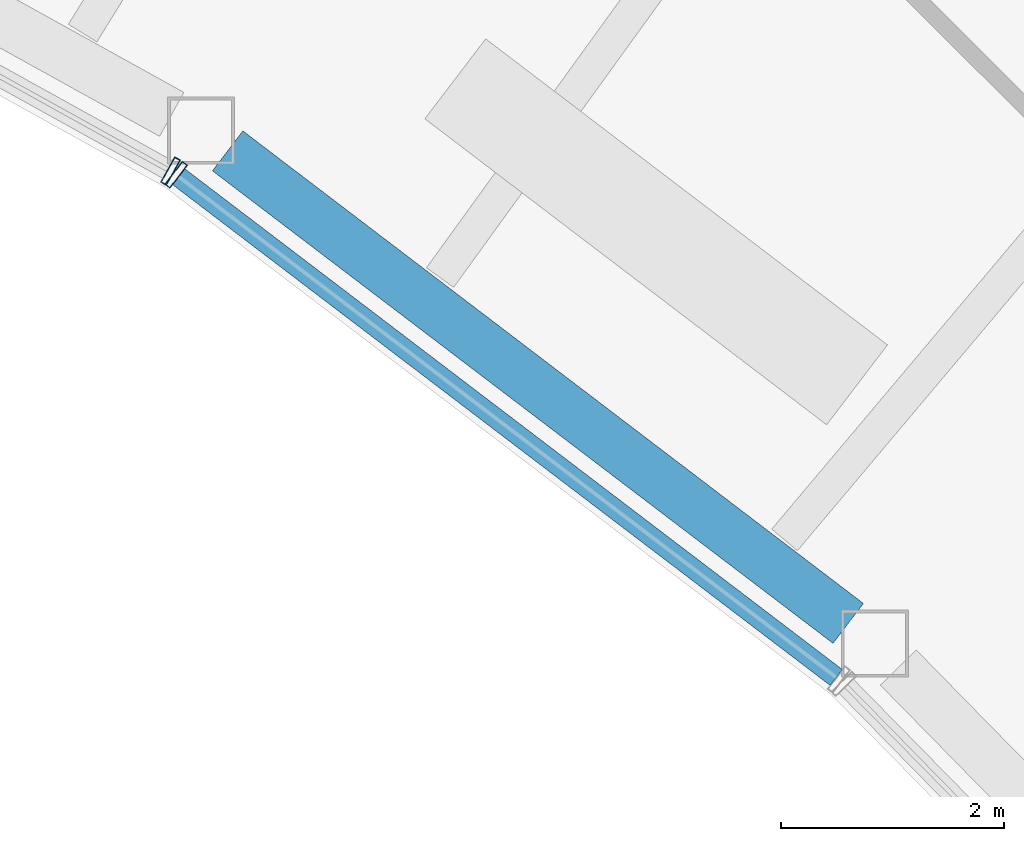
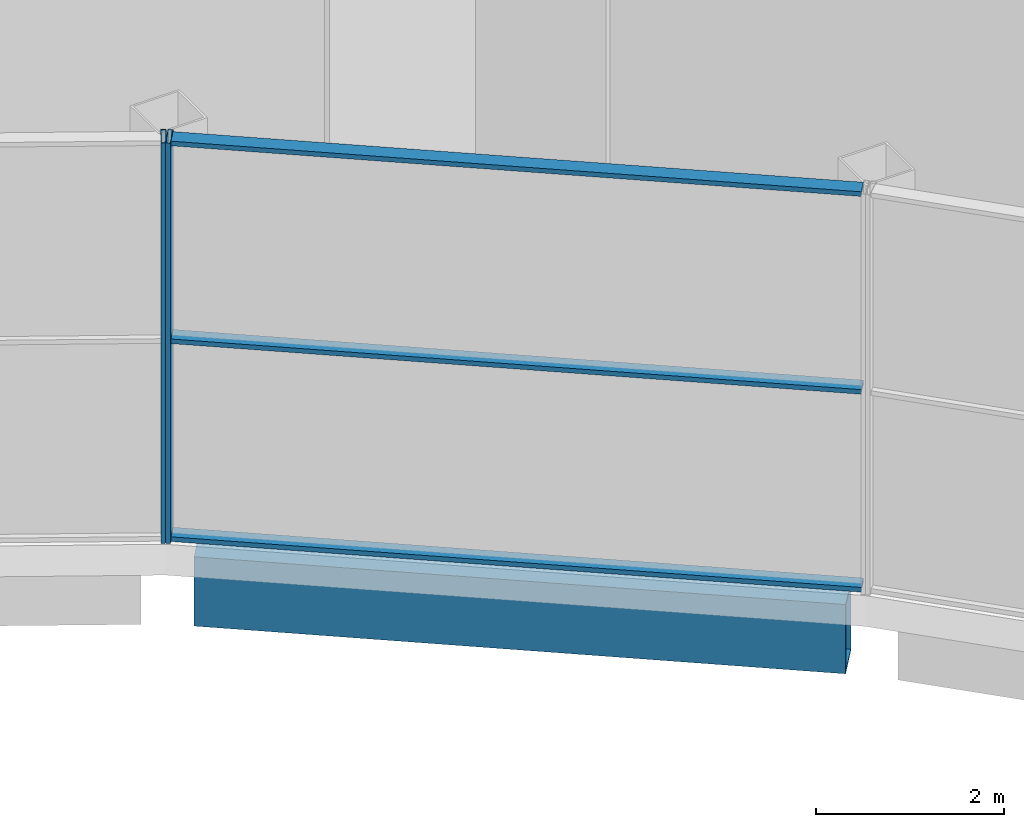
# One storey, part 19 of 44: 5 members, 1 beam, 2 elements without a shape of their own.
"""IFC4 building model written with IfcOpenShell, lengths in metres."""

import ifcopenshell
import ifcopenshell.guid

model = None  # the IFC model being written
_history = None  # IfcOwnerHistory: only IFC2X3 demands one
_inside = {}  # id of a spatial element -> (the spatial element, [elements in it])
_under = {}  # id of a project, library or spatial element -> (it, [spatial elements below it])
_declared = {}  # id of a project -> (the project, [libraries it declares])
_typed = {}  # id of a type object -> (the type object, [elements of that type])
_made_of = {}  # id of a material, layer set ... -> (it, [elements and type objects made of it])


def new_model(schema):
    """Start an empty IFC model of exactly this schema.

    Asked for "IFC4X3", IfcOpenShell would pick the latest addendum, in which some entities
    have other attributes; the version numbers below select the first issue.
    IFC2X3 requires an IfcOwnerHistory on every rooted entity: one is made here for all.
    """
    global model, _history
    if schema == "IFC4X3":
        model = ifcopenshell.file(schema_version=(4, 3, 0, 0))
    else:
        model = ifcopenshell.file(schema=schema)
    _inside.clear()
    _under.clear()
    _declared.clear()
    _typed.clear()
    _made_of.clear()
    _history = None
    if model.schema == "IFC2X3":
        org = make("IfcOrganization", Name="unknown")
        user = make(
            "IfcPersonAndOrganization",
            ThePerson=make("IfcPerson", FamilyName="unknown"),
            TheOrganization=org,
        )
        app = make(
            "IfcApplication",
            ApplicationDeveloper=org,
            Version="unknown",
            ApplicationFullName="unknown",
            ApplicationIdentifier="unknown",
        )
        _history = make(
            "IfcOwnerHistory",
            OwningUser=user,
            OwningApplication=app,
            ChangeAction="ADDED",
            CreationDate=0,
        )
    return model


def make(cls, **values):
    """One entity of the class cls with the attributes given. An attribute that is None is left unset."""
    return model.create_entity(
        cls, **{name: value for name, value in values.items() if value is not None}
    )


def rooted(cls, **values):
    """An entity with a GlobalId (a new one), such as an element, a storey or a relation."""
    return make(cls, GlobalId=ifcopenshell.guid.new(), OwnerHistory=_history, **values)


def si_unit(unit_type, name, prefix=None):
    """IfcSIUnit, for example si_unit("LENGTHUNIT", "METRE", prefix="MILLI")."""
    return make("IfcSIUnit", UnitType=unit_type, Prefix=prefix, Name=name)


def assignment(units):
    """IfcUnitAssignment: the units of a project."""
    return None if units is None else make("IfcUnitAssignment", Units=units)


def point(xyz):
    """IfcCartesianPoint."""
    return None if xyz is None else make("IfcCartesianPoint", Coordinates=xyz)


def direction(xyz):
    """IfcDirection."""
    return None if xyz is None else make("IfcDirection", DirectionRatios=xyz)


def frame(location, z_axis=None, x_axis=None):
    """IfcAxis2Placement3D, a coordinate frame: its origin and axes. An axis left out is left unset."""
    return make(
        "IfcAxis2Placement3D",
        Location=point(location),
        Axis=direction(z_axis),
        RefDirection=direction(x_axis),
    )


def frame_2d(location, x_axis=None):
    """IfcAxis2Placement2D, a coordinate frame in the plane: its origin and x axis."""
    return make(
        "IfcAxis2Placement2D", Location=point(location), RefDirection=direction(x_axis)
    )


def origin():
    """The frame at (0, 0, 0) with its axes left unset."""
    return frame((0.0, 0.0, 0.0))


def origin_2d():
    """The frame at (0, 0) in the plane with its x axis left unset."""
    return frame_2d((0.0, 0.0))


def place(relative_to, where):
    """IfcLocalPlacement: puts the frame where relative to a parent placement (None: the world)."""
    return make(
        "IfcLocalPlacement", PlacementRelTo=relative_to, RelativePlacement=where
    )


def context(
    kind, dimensions, precision=None, world=None, true_north=None, identifier=None
):
    """IfcGeometricRepresentationContext, for example the 3D "Model" context."""
    return make(
        "IfcGeometricRepresentationContext",
        ContextIdentifier=identifier,
        ContextType=kind,
        CoordinateSpaceDimension=dimensions,
        Precision=precision,
        WorldCoordinateSystem=world,
        TrueNorth=true_north,
    )


def subcontext(parent, identifier, kind, view, scale=None):
    """IfcGeometricRepresentationSubContext, for example "Body" below "Model"."""
    return make(
        "IfcGeometricRepresentationSubContext",
        ContextIdentifier=identifier,
        ContextType=kind,
        ParentContext=parent,
        TargetScale=scale,
        TargetView=view,
    )


def project(units=None, contexts=None):
    """IfcProject with its units and contexts."""
    return rooted(
        "IfcProject",
        Name="project",
        RepresentationContexts=contexts,
        UnitsInContext=assignment(units),
    )


def spatial(cls, under=None, at=None, **own):
    """A site, building, storey or space (cls), placed at a placement, below another one or the project."""
    s = rooted(cls, ObjectPlacement=at, **own)
    if under is not None:
        _under.setdefault(under.id(), (under, []))[1].append(s)
    return s


def profile(cls, at=None, kind="AREA", **sizes):
    """A parametric profile (cls). Its sizes go by their IFC names, for example OverallWidth=200.0."""
    return make(cls, ProfileType=kind, Position=at, **sizes)


def hollow_rectangle(**sizes):
    """IfcRectangleHollowProfileDef."""
    return profile("IfcRectangleHollowProfileDef", **sizes)


def extrude(swept, where, along, depth):
    """IfcExtrudedAreaSolid: the profile swept, set in the frame where, extruded along a direction by depth."""
    return make(
        "IfcExtrudedAreaSolid",
        SweptArea=swept,
        Position=where,
        ExtrudedDirection=direction(along),
        Depth=depth,
    )


def shape(context_of_items, identifier, shape_type, items):
    """IfcShapeRepresentation: the items that make up one representation, for example the "Body"."""
    return make(
        "IfcShapeRepresentation",
        ContextOfItems=context_of_items,
        RepresentationIdentifier=identifier,
        RepresentationType=shape_type,
        Items=items,
    )


def material(Name=None, Category=None):
    """IfcMaterial."""
    return make("IfcMaterial", Name=Name, Category=Category)


def layer(
    of_material, thickness, ventilated=None, Name=None, Category=None, Priority=None
):
    """IfcMaterialLayer: one layer of a wall or slab, of a material (None: an air gap)."""
    return make(
        "IfcMaterialLayer",
        Material=of_material,
        LayerThickness=thickness,
        IsVentilated=ventilated,
        Name=Name,
        Category=Category,
        Priority=Priority,
    )


def layer_set(layers, Name=None):
    """IfcMaterialLayerSet."""
    return make("IfcMaterialLayerSet", MaterialLayers=layers, LayerSetName=Name)


def material_profile(
    of_material, cross_section, Name=None, Category=None, Priority=None
):
    """IfcMaterialProfile: a cross section and its material."""
    return make(
        "IfcMaterialProfile",
        Name=Name,
        Material=of_material,
        Profile=cross_section,
        Priority=Priority,
        Category=Category,
    )


def profile_set(profiles, Name=None, composite=None):
    """IfcMaterialProfileSet."""
    return make(
        "IfcMaterialProfileSet",
        Name=Name,
        MaterialProfiles=profiles,
        CompositeProfile=composite,
    )


def made_of(thing, what):
    """Note that an element or type object is made of a material, layer set ...; save() writes the relation."""
    if what is not None:
        _made_of.setdefault(what.id(), (what, []))[1].append(thing)
    return thing


def type_object(cls, material=None, **own):
    """A type object (cls), such as IfcWallType, which elements share."""
    return made_of(rooted(cls, **own), material)


def element(
    cls,
    number,
    at=None,
    inside=None,
    cuts=None,
    type_object=None,
    material=None,
    context=None,
    identifier="Body",
    shape_type=None,
    held_by="IfcProductDefinitionShape",
    body=None,
    shapes=None,
    **own,
):
    """One element of the class cls, such as IfcWall. Its Tag is "e" and its number.

    at: its placement. inside: the storey or other place that contains it. cuts: it is an
    opening in that element (IfcRelVoidsElement). A single representation is given by context,
    identifier, shape_type and body (its items); several are given by shapes. held_by: the class
    of the entity that holds the representations. save() writes the other relations.
    """
    e = rooted(cls, Tag="e%d" % number, ObjectPlacement=at, **own)
    if body is not None:
        shapes = [shape(context, identifier, shape_type, body)]
    if shapes is not None:
        e.Representation = make(held_by, Representations=shapes)
    if inside is not None:
        _inside.setdefault(inside.id(), (inside, []))[1].append(e)
    if cuts is not None:
        rooted(
            "IfcRelVoidsElement", RelatingBuildingElement=cuts, RelatedOpeningElement=e
        )
    if type_object is not None:
        _typed.setdefault(type_object.id(), (type_object, []))[1].append(e)
    return made_of(e, material)


def aggregate(whole, parts):
    """IfcRelAggregates: a whole, such as a stair, and the parts it consists of."""
    return rooted("IfcRelAggregates", RelatingObject=whole, RelatedObjects=parts)


def save(model, path):
    """Write the relations noted so far, then the file.

    IfcRelAggregates (storeys below a building ...), IfcRelContainedInSpatialStructure (elements
    in a storey), IfcRelDefinesByType, IfcRelAssociatesMaterial and IfcRelDeclares: one each for
    every whole, place, type object, material and project.
    """
    for whole, parts in _under.values():
        aggregate(whole, parts)
    for where, things in _inside.values():
        rooted(
            "IfcRelContainedInSpatialStructure",
            RelatedElements=things,
            RelatingStructure=where,
        )
    for kind, things in _typed.values():
        rooted("IfcRelDefinesByType", RelatedObjects=things, RelatingType=kind)
    for what, things in _made_of.values():
        rooted("IfcRelAssociatesMaterial", RelatedObjects=things, RelatingMaterial=what)
    for by, libraries in _declared.values():
        rooted("IfcRelDeclares", RelatingContext=by, RelatedDefinitions=libraries)
    model.write(path)


model = new_model("IFC4")

# Units and contexts
model_context = context("Model", 3, precision=1e-05, world=origin(), true_north=direction((0.0, 1.0)))
body_context = subcontext(model_context, "Body", "Model", "MODEL_VIEW")
ifc_project = project(units=[si_unit("LENGTHUNIT", "METRE"), si_unit("AREAUNIT", "SQUARE_METRE"), si_unit("VOLUMEUNIT", "CUBIC_METRE"), si_unit("PLANEANGLEUNIT", "RADIAN"), si_unit("MASSUNIT", "GRAM", prefix="KILO")], contexts=[model_context])

# Site, building, storey
site_placement = place(None, origin())
site = spatial("IfcSite", under=ifc_project, at=site_placement, CompositionType="ELEMENT")
building_placement = place(site_placement, origin())
building = spatial("IfcBuilding", under=site, at=building_placement, Name="Tuul Gate Civic Tower", CompositionType="ELEMENT")
storey_placement = place(building_placement, frame((0.0, 0.0, 354.60009765625)))
storey = spatial("IfcBuildingStorey", under=building, at=storey_placement, Name="Observation level 2", CompositionType="ELEMENT", Elevation=354.60009765625)

# Curtain wall, member
ifc_material_1 = material(Name="Stainless steel", Category="steel")
ifc_layer = layer(ifc_material_1, 0.199951171875)
ifc_layer_set = layer_set([ifc_layer], Name="Stainless steel")
curtain_wall_type = type_object("IfcCurtainWallType", Name="Curtain wall CW4", PredefinedType="NOTDEFINED", material=ifc_layer_set)
curtain_wall_1_placement = place(storey_placement, origin())
curtain_wall_1 = element("IfcCurtainWall", 1, at=curtain_wall_1_placement, inside=storey, type_object=curtain_wall_type, Name="Curtain wall CW4", PredefinedType="NOTDEFINED")
ifc_material_2 = material(Name="Stainless steel", Category="steel")
ifc_material_profile_1 = material_profile(ifc_material_2, hollow_rectangle(XDim=0.260009765625, YDim=0.06005859375, WallThickness=0.006103515625, at=origin_2d()), Name="CW4 mullion")
ifc_profile_set_1 = profile_set([ifc_material_profile_1], Name="Stainless steel")
member_type_1 = type_object("IfcMemberType", Name="CW4 mullion", PredefinedType="MULLION", material=ifc_profile_set_1)
member_1_placement = place(storey_placement, frame((30.645751953125, -16.439453125, 0.0), z_axis=(0.0, 0.0, 1.0), x_axis=(0.48480794476, 0.874620635875, 0.0)))
member_1 = element("IfcMember", 2, at=member_1_placement, type_object=member_type_1, Name="Mullion", PredefinedType="MULLION", context=body_context, shape_type="SweptSolid", body=[
    extrude(hollow_rectangle(XDim=0.260009765625, YDim=0.06005859375, WallThickness=0.006103515625, at=origin_2d()), origin(), (0.0, 0.0, 1.0), 5.199951171875),
])
aggregate(curtain_wall_1, [member_1])

# Curtain wall, members
curtain_wall_2_placement = place(storey_placement, origin())
curtain_wall_2 = element("IfcCurtainWall", 3, at=curtain_wall_2_placement, inside=storey, type_object=curtain_wall_type, Name="Curtain wall CW4", PredefinedType="NOTDEFINED")
member_2_placement = place(storey_placement, frame((30.69580078125, -16.47216796875, 0.0), z_axis=(0.0, 0.0, 1.0), x_axis=(0.605851052715, 0.795578092914, 0.0)))
member_2 = element("IfcMember", 4, at=member_2_placement, type_object=member_type_1, Name="Mullion", PredefinedType="MULLION", context=body_context, shape_type="SweptSolid", body=[
    extrude(hollow_rectangle(XDim=0.260009765625, YDim=0.06005859375, WallThickness=0.006103515625, at=origin_2d()), origin(), (0.0, 0.0, 1.0), 5.199951171875),
])
ifc_material_3 = material(Name="Stainless steel", Category="steel")
ifc_material_profile_2 = material_profile(ifc_material_3, hollow_rectangle(XDim=0.179931640625, YDim=0.06005859375, WallThickness=0.006103515625, at=origin_2d()), Name="CW4 transom")
ifc_profile_set_2 = profile_set([ifc_material_profile_2], Name="Stainless steel")
member_type_2 = type_object("IfcMemberType", Name="CW4 transom", PredefinedType="USERDEFINED", material=ifc_profile_set_2)
member_3_placement = place(storey_placement, frame((30.7197265625, -16.490234375, 0.02978515625), z_axis=(0.795580003279, -0.605848544095, 0.0), x_axis=(0.605848544095, 0.795580003279, 0.0)))
member_3 = element("IfcMember", 5, at=member_3_placement, type_object=member_type_2, Name="Transom", ObjectType="TRANSOM", PredefinedType="USERDEFINED", context=body_context, shape_type="SweptSolid", body=[
    extrude(hollow_rectangle(XDim=0.179931640625, YDim=0.06005859375, WallThickness=0.006103515625, at=origin_2d()), origin(), (0.0, 0.0, 1.0), 7.40673828125),
])
member_4_placement = place(storey_placement, frame((30.7197265625, -16.490234375, 2.599853515625), z_axis=(0.795580003279, -0.605848544095, 0.0), x_axis=(0.605848544095, 0.795580003279, 0.0)))
member_4 = element("IfcMember", 6, at=member_4_placement, type_object=member_type_2, Name="Transom", ObjectType="TRANSOM", PredefinedType="USERDEFINED", context=body_context, shape_type="SweptSolid", body=[
    extrude(hollow_rectangle(XDim=0.179931640625, YDim=0.06005859375, WallThickness=0.006103515625, at=origin_2d()), origin(), (0.0, 0.0, 1.0), 7.40673828125),
])
member_5_placement = place(storey_placement, frame((30.7197265625, -16.490234375, 5.169921875), z_axis=(0.795580003279, -0.605848544095, 0.0), x_axis=(0.605848544095, 0.795580003279, 0.0)))
member_5 = element("IfcMember", 7, at=member_5_placement, type_object=member_type_2, Name="Transom", ObjectType="TRANSOM", PredefinedType="USERDEFINED", context=body_context, shape_type="SweptSolid", body=[
    extrude(hollow_rectangle(XDim=0.179931640625, YDim=0.06005859375, WallThickness=0.006103515625, at=origin_2d()), origin(), (0.0, 0.0, 1.0), 7.40673828125),
])
aggregate(curtain_wall_2, [member_2, member_3, member_4, member_5])

# Beam
ifc_material_4 = material(Name="Steel S355", Category="steel")
ifc_material_profile_3 = material_profile(ifc_material_4, hollow_rectangle(XDim=0.449951171875, YDim=0.89990234375, WallThickness=0.02490234375, at=origin_2d()), Name="BOX900x450x25")
ifc_profile_set_3 = profile_set([ifc_material_profile_3], Name="Steel S355")
beam_type = type_object("IfcBeamType", Name="STR-SPANDREL BEAM-BOX900x450x25", PredefinedType="BEAM", material=ifc_profile_set_3)
beam_placement = place(storey_placement, frame((31.15771484375, -16.2578125, -0.85009765625), z_axis=(0.795620861355, -0.605794886885, 0.0), x_axis=(0.605794886885, 0.795620861355, 0.0)))
element("IfcBeam", 8, at=beam_placement, inside=storey, type_object=beam_type, Name="Spandrel beam", PredefinedType="BEAM", context=body_context, shape_type="SweptSolid", body=[
    extrude(hollow_rectangle(XDim=0.449951171875, YDim=0.89990234375, WallThickness=0.02490234375, at=origin_2d()), origin(), (0.0, 0.0, 1.0), 6.991455078125),
])

save(model, "model.ifc")
